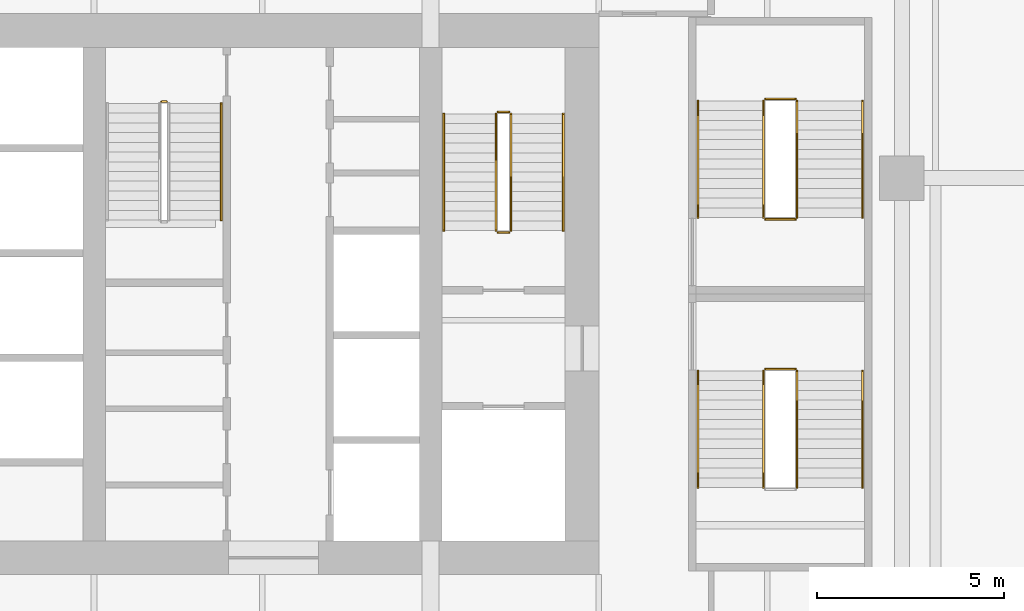
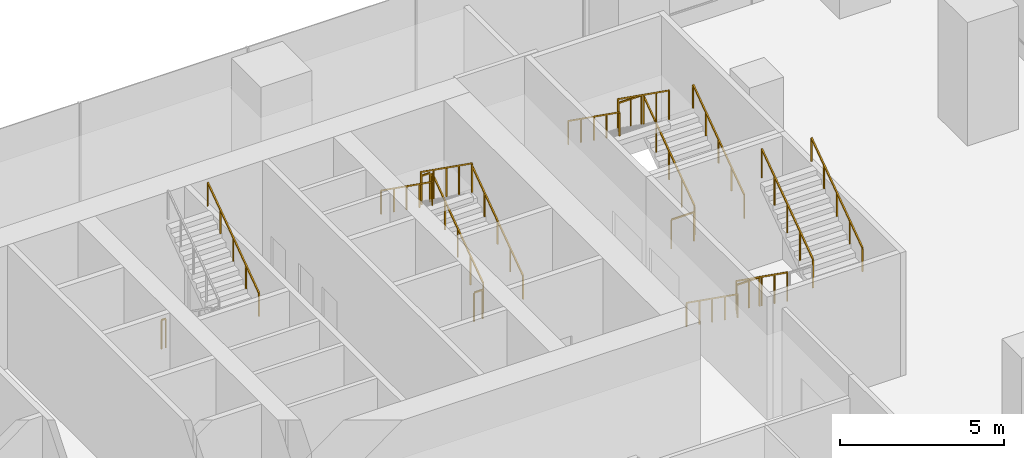
# One storey, part 28 of 28: 19 railings.
"""IFC4 building model written with IfcOpenShell, lengths in metres."""

from ifc_helpers import new_model, si_unit, direction, frame, origin, origin_2d, place, context, subcontext, project, spatial, rectangle, extrude, material, type_object, element, save


model = new_model("IFC4")

# Units and contexts
model_context = context("Model", 3, precision=1e-05, world=origin(), true_north=direction((0.0, 1.0)))
body_context = subcontext(model_context, "Body", "Model", "MODEL_VIEW")
ifc_project = project(units=[si_unit("LENGTHUNIT", "METRE"), si_unit("AREAUNIT", "SQUARE_METRE"), si_unit("VOLUMEUNIT", "CUBIC_METRE"), si_unit("PLANEANGLEUNIT", "RADIAN"), si_unit("MASSUNIT", "GRAM", prefix="KILO")], contexts=[model_context])

# Site, building, storey
site_placement = place(None, origin())
site = spatial("IfcSite", under=ifc_project, at=site_placement, CompositionType="ELEMENT")
building_placement = place(site_placement, origin())
building = spatial("IfcBuilding", under=site, at=building_placement, Name="Rattan Terrace Tower", CompositionType="ELEMENT")
storey_placement = place(building_placement, frame((0.0, 0.0, 22.199951171875)))
storey = spatial("IfcBuildingStorey", under=building, at=storey_placement, Name="L04", CompositionType="ELEMENT", Elevation=22.199951171875)

# Railings
ifc_material_1 = material(Name="Powder-coated steel guard", Category="steel")
railing_type_1 = type_object("IfcRailingType", Name="Core stair guard", PredefinedType="GUARDRAIL", material=ifc_material_1)
railing_1_placement = place(storey_placement, frame((15.64990234375, 1.699951171875, 0.1845703125)))
element("IfcRailing", 1, at=railing_1_placement, inside=storey, type_object=railing_type_1, Name="L04 S2 stair guard 1", PredefinedType="GUARDRAIL", context=body_context, shape_type="SweptSolid", body=[
    extrude(rectangle(XDim=0.048095703125, YDim=0.048095703125, at=origin_2d()), frame((0.0, 0.0, 1.076171875), z_axis=(0.0, 0.815346844174, 0.578972817752), x_axis=(-1.0, 0.0, 0.0)), (0.0, 0.0, 1.0), 3.82666015625),
    extrude(rectangle(XDim=0.0419921875, YDim=0.0419921875, at=origin_2d()), origin(), (0.0, 0.0, 1.0), 1.052001953125),
    extrude(rectangle(XDim=0.0419921875, YDim=0.0419921875, at=origin_2d()), frame((0.0, 0.780029296875, 0.553955078125)), (0.0, 0.0, 1.0), 1.052001953125),
    extrude(rectangle(XDim=0.0419921875, YDim=0.0419921875, at=origin_2d()), frame((0.0, 1.56005859375, 1.10791015625)), (0.0, 0.0, 1.0), 1.052001953125),
    extrude(rectangle(XDim=0.0419921875, YDim=0.0419921875, at=origin_2d()), frame((0.0, 2.340087890625, 1.66162109375)), (0.0, 0.0, 1.0), 1.052001953125),
    extrude(rectangle(XDim=0.0419921875, YDim=0.0419921875, at=origin_2d()), frame((0.0, 3.1201171875, 2.215576171875)), (0.0, 0.0, 1.0), 1.052001953125),
])
railing_2_placement = place(storey_placement, frame((15.60009765625, 4.8701171875, 2.400146484375)))
element("IfcRailing", 2, at=railing_2_placement, inside=storey, type_object=railing_type_1, Name="L04 S2 stair guard 2", PredefinedType="GUARDRAIL", context=body_context, shape_type="SweptSolid", body=[
    extrude(rectangle(XDim=0.048095703125, YDim=0.048095703125, at=origin_2d()), frame((0.0, 0.0, 1.076171875), z_axis=(-1.0, 0.0, 0.0), x_axis=(0.0, -1.0, 0.0)), (0.0, 0.0, 1.0), 0.300048828125),
    extrude(rectangle(XDim=0.0419921875, YDim=0.0419921875, at=origin_2d()), origin(), (0.0, 0.0, 1.0), 1.052001953125),
    extrude(rectangle(XDim=0.0419921875, YDim=0.0419921875, at=origin_2d()), frame((-0.300048828125, 0.0, 0.0)), (0.0, 0.0, 1.0), 1.052001953125),
])
railing_3_placement = place(storey_placement, frame((15.25, 4.820068359375, 2.584716796875)))
element("IfcRailing", 3, at=railing_3_placement, inside=storey, type_object=railing_type_1, Name="L04 S2 stair guard 3", PredefinedType="GUARDRAIL", context=body_context, shape_type="SweptSolid", body=[
    extrude(rectangle(XDim=0.048095703125, YDim=0.048095703125, at=origin_2d()), frame((0.0, 0.0, 1.076171875), z_axis=(0.0, -0.815376961211, 0.578930402662), x_axis=(1.0, 0.0, 0.0)), (0.0, 0.0, 1.0), 3.82666015625),
    extrude(rectangle(XDim=0.0419921875, YDim=0.0419921875, at=origin_2d()), origin(), (0.0, 0.0, 1.0), 1.052001953125),
    extrude(rectangle(XDim=0.0419921875, YDim=0.0419921875, at=origin_2d()), frame((0.0, -0.780029296875, 0.5537109375)), (0.0, 0.0, 1.0), 1.052001953125),
    extrude(rectangle(XDim=0.0419921875, YDim=0.0419921875, at=origin_2d()), frame((0.0, -1.56005859375, 1.107666015625)), (0.0, 0.0, 1.0), 1.052001953125),
    extrude(rectangle(XDim=0.0419921875, YDim=0.0419921875, at=origin_2d()), frame((0.0, -2.340087890625, 1.66162109375)), (0.0, 0.0, 1.0), 1.052001953125),
    extrude(rectangle(XDim=0.0419921875, YDim=0.0419921875, at=origin_2d()), frame((0.0, -3.1201171875, 2.21533203125)), (0.0, 0.0, 1.0), 1.052001953125),
])
railing_4_placement = place(storey_placement, frame((15.60009765625, 1.64990234375, 0.0)))
element("IfcRailing", 4, at=railing_4_placement, inside=storey, type_object=railing_type_1, Name="L04 S2 stair guard 4", PredefinedType="GUARDRAIL", context=body_context, shape_type="SweptSolid", body=[
    extrude(rectangle(XDim=0.048095703125, YDim=0.048095703125, at=origin_2d()), frame((0.0, 0.0, 1.076171875), z_axis=(-1.0, 0.0, 0.0), x_axis=(0.0, -1.0, 0.0)), (0.0, 0.0, 1.0), 0.300048828125),
    extrude(rectangle(XDim=0.0419921875, YDim=0.0419921875, at=origin_2d()), origin(), (0.0, 0.0, 1.0), 1.052001953125),
    extrude(rectangle(XDim=0.0419921875, YDim=0.0419921875, at=origin_2d()), frame((-0.300048828125, 0.0, 0.0)), (0.0, 0.0, 1.0), 1.052001953125),
])
railing_5_placement = place(storey_placement, frame((6.300048828125, 5.14990234375, 0.0)))
element("IfcRailing", 5, at=railing_5_placement, inside=storey, type_object=railing_type_1, Name="L04 S3 stair guard 4", PredefinedType="GUARDRAIL", context=body_context, shape_type="SweptSolid", body=[
    extrude(rectangle(XDim=0.048095703125, YDim=0.048095703125, at=origin_2d()), frame((0.0, 0.0, 1.076171875), z_axis=(1.0, 0.0, 0.0), x_axis=(0.0, 1.0, 0.0)), (0.0, 0.0, 1.0), 0.14990234375),
    extrude(rectangle(XDim=0.0419921875, YDim=0.0419921875, at=origin_2d()), origin(), (0.0, 0.0, 1.0), 1.052001953125),
    extrude(rectangle(XDim=0.0419921875, YDim=0.0419921875, at=origin_2d()), frame((0.14990234375, 0.0, 0.0)), (0.0, 0.0, 1.0), 1.052001953125),
])
railing_6_placement = place(storey_placement, frame((22.39990234375, -2.050048828125, 0.1845703125)))
element("IfcRailing", 6, at=railing_6_placement, inside=storey, type_object=railing_type_1, Name="L04 S6 stair guard 1", PredefinedType="GUARDRAIL", context=body_context, shape_type="SweptSolid", body=[
    extrude(rectangle(XDim=0.048095703125, YDim=0.048095703125, at=origin_2d()), frame((0.0, 0.0, 1.076171875), z_axis=(0.0, -0.815325456587, 0.579002935952), x_axis=(1.0, 0.0, 0.0)), (0.0, 0.0, 1.0), 3.826416015625),
    extrude(rectangle(XDim=0.0419921875, YDim=0.0419921875, at=origin_2d()), origin(), (0.0, 0.0, 1.0), 1.052001953125),
    extrude(rectangle(XDim=0.0419921875, YDim=0.0419921875, at=origin_2d()), frame((0.0, -0.780029296875, 0.553955078125)), (0.0, 0.0, 1.0), 1.052001953125),
    extrude(rectangle(XDim=0.0419921875, YDim=0.0419921875, at=origin_2d()), frame((0.0, -1.56005859375, 1.10791015625)), (0.0, 0.0, 1.0), 1.052001953125),
    extrude(rectangle(XDim=0.0419921875, YDim=0.0419921875, at=origin_2d()), frame((0.0, -2.33984375, 1.66162109375)), (0.0, 0.0, 1.0), 1.052001953125),
    extrude(rectangle(XDim=0.0419921875, YDim=0.0419921875, at=origin_2d()), frame((0.0, -3.119873046875, 2.215576171875)), (0.0, 0.0, 1.0), 1.052001953125),
])
railing_7_placement = place(storey_placement, frame((23.300048828125, -5.169921875, 2.584716796875)))
element("IfcRailing", 7, at=railing_7_placement, inside=storey, type_object=railing_type_1, Name="L04 S6 stair guard 3", PredefinedType="GUARDRAIL", context=body_context, shape_type="SweptSolid", body=[
    extrude(rectangle(XDim=0.048095703125, YDim=0.048095703125, at=origin_2d()), frame((0.0, 0.0, 1.076171875), z_axis=(0.0, 0.815355575968, 0.57896052088), x_axis=(-1.0, 0.0, 0.0)), (0.0, 0.0, 1.0), 3.826416015625),
    extrude(rectangle(XDim=0.0419921875, YDim=0.0419921875, at=origin_2d()), origin(), (0.0, 0.0, 1.0), 1.052001953125),
    extrude(rectangle(XDim=0.0419921875, YDim=0.0419921875, at=origin_2d()), frame((0.0, 0.780029296875, 0.5537109375)), (0.0, 0.0, 1.0), 1.052001953125),
    extrude(rectangle(XDim=0.0419921875, YDim=0.0419921875, at=origin_2d()), frame((0.0, 1.56005859375, 1.107666015625)), (0.0, 0.0, 1.0), 1.052001953125),
    extrude(rectangle(XDim=0.0419921875, YDim=0.0419921875, at=origin_2d()), frame((0.0, 2.33984375, 1.66162109375)), (0.0, 0.0, 1.0), 1.052001953125),
    extrude(rectangle(XDim=0.0419921875, YDim=0.0419921875, at=origin_2d()), frame((0.0, 3.119873046875, 2.21533203125)), (0.0, 0.0, 1.0), 1.052001953125),
])
railing_8_placement = place(storey_placement, frame((22.449951171875, -2.0, 0.0)))
element("IfcRailing", 8, at=railing_8_placement, inside=storey, type_object=railing_type_1, Name="L04 S6 stair guard 4", PredefinedType="GUARDRAIL", context=body_context, shape_type="SweptSolid", body=[
    extrude(rectangle(XDim=0.048095703125, YDim=0.048095703125, at=origin_2d()), frame((0.0, 0.0, 1.076171875), z_axis=(1.0, 0.0, 0.0), x_axis=(0.0, 1.0, 0.0)), (0.0, 0.0, 1.0), 0.800048828125),
    extrude(rectangle(XDim=0.0419921875, YDim=0.0419921875, at=origin_2d()), origin(), (0.0, 0.0, 1.0), 1.052001953125),
    extrude(rectangle(XDim=0.0419921875, YDim=0.0419921875, at=origin_2d()), frame((0.800048828125, 0.0, 0.0)), (0.0, 0.0, 1.0), 1.052001953125),
])
railing_9_placement = place(storey_placement, frame((23.300048828125, 2.050048828125, 0.1845703125)))
element("IfcRailing", 9, at=railing_9_placement, inside=storey, type_object=railing_type_1, Name="L04 S7 stair guard 1", PredefinedType="GUARDRAIL", context=body_context, shape_type="SweptSolid", body=[
    extrude(rectangle(XDim=0.048095703125, YDim=0.048095703125, at=origin_2d()), frame((0.0, 0.0, 1.076171875), z_axis=(0.0, 0.815325456587, 0.579002935952), x_axis=(-1.0, 0.0, 0.0)), (0.0, 0.0, 1.0), 3.826416015625),
    extrude(rectangle(XDim=0.0419921875, YDim=0.0419921875, at=origin_2d()), origin(), (0.0, 0.0, 1.0), 1.052001953125),
    extrude(rectangle(XDim=0.0419921875, YDim=0.0419921875, at=origin_2d()), frame((0.0, 0.780029296875, 0.553955078125)), (0.0, 0.0, 1.0), 1.052001953125),
    extrude(rectangle(XDim=0.0419921875, YDim=0.0419921875, at=origin_2d()), frame((0.0, 1.56005859375, 1.10791015625)), (0.0, 0.0, 1.0), 1.052001953125),
    extrude(rectangle(XDim=0.0419921875, YDim=0.0419921875, at=origin_2d()), frame((0.0, 2.33984375, 1.66162109375)), (0.0, 0.0, 1.0), 1.052001953125),
    extrude(rectangle(XDim=0.0419921875, YDim=0.0419921875, at=origin_2d()), frame((0.0, 3.119873046875, 2.215576171875)), (0.0, 0.0, 1.0), 1.052001953125),
])
railing_10_placement = place(storey_placement, frame((23.25, 5.219970703125, 2.400146484375)))
element("IfcRailing", 10, at=railing_10_placement, inside=storey, type_object=railing_type_1, Name="L04 S7 stair guard 2", PredefinedType="GUARDRAIL", context=body_context, shape_type="SweptSolid", body=[
    extrude(rectangle(XDim=0.048095703125, YDim=0.048095703125, at=origin_2d()), frame((0.0, 0.0, 1.076171875), z_axis=(-1.0, 0.0, 0.0), x_axis=(0.0, -1.0, 0.0)), (0.0, 0.0, 1.0), 0.800048828125),
    extrude(rectangle(XDim=0.0419921875, YDim=0.0419921875, at=origin_2d()), origin(), (0.0, 0.0, 1.0), 1.052001953125),
    extrude(rectangle(XDim=0.0419921875, YDim=0.0419921875, at=origin_2d()), frame((-0.800048828125, 0.0, 0.0)), (0.0, 0.0, 1.0), 1.052001953125),
])
railing_11_placement = place(storey_placement, frame((22.39990234375, 5.169921875, 2.584716796875)))
element("IfcRailing", 11, at=railing_11_placement, inside=storey, type_object=railing_type_1, Name="L04 S7 stair guard 3", PredefinedType="GUARDRAIL", context=body_context, shape_type="SweptSolid", body=[
    extrude(rectangle(XDim=0.048095703125, YDim=0.048095703125, at=origin_2d()), frame((0.0, 0.0, 1.076171875), z_axis=(0.0, -0.815355575968, 0.57896052088), x_axis=(1.0, 0.0, 0.0)), (0.0, 0.0, 1.0), 3.826416015625),
    extrude(rectangle(XDim=0.0419921875, YDim=0.0419921875, at=origin_2d()), origin(), (0.0, 0.0, 1.0), 1.052001953125),
    extrude(rectangle(XDim=0.0419921875, YDim=0.0419921875, at=origin_2d()), frame((0.0, -0.780029296875, 0.5537109375)), (0.0, 0.0, 1.0), 1.052001953125),
    extrude(rectangle(XDim=0.0419921875, YDim=0.0419921875, at=origin_2d()), frame((0.0, -1.56005859375, 1.107666015625)), (0.0, 0.0, 1.0), 1.052001953125),
    extrude(rectangle(XDim=0.0419921875, YDim=0.0419921875, at=origin_2d()), frame((0.0, -2.33984375, 1.66162109375)), (0.0, 0.0, 1.0), 1.052001953125),
    extrude(rectangle(XDim=0.0419921875, YDim=0.0419921875, at=origin_2d()), frame((0.0, -3.119873046875, 2.21533203125)), (0.0, 0.0, 1.0), 1.052001953125),
])
railing_12_placement = place(storey_placement, frame((23.25, 2.0, 0.0)))
element("IfcRailing", 12, at=railing_12_placement, inside=storey, type_object=railing_type_1, Name="L04 S7 stair guard 4", PredefinedType="GUARDRAIL", context=body_context, shape_type="SweptSolid", body=[
    extrude(rectangle(XDim=0.048095703125, YDim=0.048095703125, at=origin_2d()), frame((0.0, 0.0, 1.076171875), z_axis=(-1.0, 0.0, 0.0), x_axis=(0.0, -1.0, 0.0)), (0.0, 0.0, 1.0), 0.800048828125),
    extrude(rectangle(XDim=0.0419921875, YDim=0.0419921875, at=origin_2d()), origin(), (0.0, 0.0, 1.0), 1.052001953125),
    extrude(rectangle(XDim=0.0419921875, YDim=0.0419921875, at=origin_2d()), frame((-0.800048828125, 0.0, 0.0)), (0.0, 0.0, 1.0), 1.052001953125),
])
ifc_material_2 = material(Name="Powder-coated steel handrail", Category="steel")
railing_type_2 = type_object("IfcRailingType", Name="Core stair handrail", PredefinedType="HANDRAIL", material=ifc_material_2)
railing_13_placement = place(storey_placement, frame((17.050048828125, 1.699951171875, 0.1845703125)))
element("IfcRailing", 13, at=railing_13_placement, inside=storey, type_object=railing_type_2, Name="L04 S2 stair handrail 1", PredefinedType="HANDRAIL", context=body_context, shape_type="SweptSolid", body=[
    extrude(rectangle(XDim=0.048095703125, YDim=0.048095703125, at=origin_2d()), frame((0.0, 0.0, 0.8759765625), z_axis=(0.0, 0.815346844174, 0.578972817752), x_axis=(-1.0, 0.0, 0.0)), (0.0, 0.0, 1.0), 3.82666015625),
    extrude(rectangle(XDim=0.0419921875, YDim=0.0419921875, at=origin_2d()), origin(), (0.0, 0.0, 1.0), 0.851806640625),
    extrude(rectangle(XDim=0.0419921875, YDim=0.0419921875, at=origin_2d()), frame((0.0, 0.780029296875, 0.553955078125)), (0.0, 0.0, 1.0), 0.851806640625),
    extrude(rectangle(XDim=0.0419921875, YDim=0.0419921875, at=origin_2d()), frame((0.0, 1.56005859375, 1.10791015625)), (0.0, 0.0, 1.0), 0.851806640625),
    extrude(rectangle(XDim=0.0419921875, YDim=0.0419921875, at=origin_2d()), frame((0.0, 2.340087890625, 1.66162109375)), (0.0, 0.0, 1.0), 0.851806640625),
    extrude(rectangle(XDim=0.0419921875, YDim=0.0419921875, at=origin_2d()), frame((0.0, 3.1201171875, 2.215576171875)), (0.0, 0.0, 1.0), 0.851806640625),
])
railing_14_placement = place(storey_placement, frame((13.85009765625, 4.820068359375, 2.584716796875)))
element("IfcRailing", 14, at=railing_14_placement, inside=storey, type_object=railing_type_2, Name="L04 S2 stair handrail 2", PredefinedType="HANDRAIL", context=body_context, shape_type="SweptSolid", body=[
    extrude(rectangle(XDim=0.048095703125, YDim=0.048095703125, at=origin_2d()), frame((0.0, 0.0, 0.8759765625), z_axis=(0.0, -0.815376961211, 0.578930402662), x_axis=(1.0, 0.0, 0.0)), (0.0, 0.0, 1.0), 3.82666015625),
    extrude(rectangle(XDim=0.0419921875, YDim=0.0419921875, at=origin_2d()), origin(), (0.0, 0.0, 1.0), 0.851806640625),
    extrude(rectangle(XDim=0.0419921875, YDim=0.0419921875, at=origin_2d()), frame((0.0, -0.780029296875, 0.5537109375)), (0.0, 0.0, 1.0), 0.851806640625),
    extrude(rectangle(XDim=0.0419921875, YDim=0.0419921875, at=origin_2d()), frame((0.0, -1.56005859375, 1.107666015625)), (0.0, 0.0, 1.0), 0.851806640625),
    extrude(rectangle(XDim=0.0419921875, YDim=0.0419921875, at=origin_2d()), frame((0.0, -2.340087890625, 1.66162109375)), (0.0, 0.0, 1.0), 0.851806640625),
    extrude(rectangle(XDim=0.0419921875, YDim=0.0419921875, at=origin_2d()), frame((0.0, -3.1201171875, 2.21533203125)), (0.0, 0.0, 1.0), 0.851806640625),
])
railing_15_placement = place(storey_placement, frame((7.89990234375, 1.97998046875, 2.584716796875)))
element("IfcRailing", 15, at=railing_15_placement, inside=storey, type_object=railing_type_2, Name="L04 S3 stair handrail 2", PredefinedType="HANDRAIL", context=body_context, shape_type="SweptSolid", body=[
    extrude(rectangle(XDim=0.048095703125, YDim=0.048095703125, at=origin_2d()), frame((0.0, 0.0, 0.8759765625), z_axis=(0.0, 0.815376961211, 0.578930402662), x_axis=(-1.0, 0.0, 0.0)), (0.0, 0.0, 1.0), 3.82666015625),
    extrude(rectangle(XDim=0.0419921875, YDim=0.0419921875, at=origin_2d()), origin(), (0.0, 0.0, 1.0), 0.851806640625),
    extrude(rectangle(XDim=0.0419921875, YDim=0.0419921875, at=origin_2d()), frame((0.0, 0.780029296875, 0.5537109375)), (0.0, 0.0, 1.0), 0.851806640625),
    extrude(rectangle(XDim=0.0419921875, YDim=0.0419921875, at=origin_2d()), frame((0.0, 1.56005859375, 1.107666015625)), (0.0, 0.0, 1.0), 0.851806640625),
    extrude(rectangle(XDim=0.0419921875, YDim=0.0419921875, at=origin_2d()), frame((0.0, 2.340087890625, 1.66162109375)), (0.0, 0.0, 1.0), 0.851806640625),
    extrude(rectangle(XDim=0.0419921875, YDim=0.0419921875, at=origin_2d()), frame((0.0, 3.1201171875, 2.21533203125)), (0.0, 0.0, 1.0), 0.851806640625),
])
railing_16_placement = place(storey_placement, frame((20.64990234375, -2.050048828125, 0.1845703125)))
element("IfcRailing", 16, at=railing_16_placement, inside=storey, type_object=railing_type_2, Name="L04 S6 stair handrail 1", PredefinedType="HANDRAIL", context=body_context, shape_type="SweptSolid", body=[
    extrude(rectangle(XDim=0.048095703125, YDim=0.048095703125, at=origin_2d()), frame((0.0, 0.0, 0.8759765625), z_axis=(0.0, -0.815325456587, 0.579002935952), x_axis=(1.0, 0.0, 0.0)), (0.0, 0.0, 1.0), 3.826416015625),
    extrude(rectangle(XDim=0.0419921875, YDim=0.0419921875, at=origin_2d()), origin(), (0.0, 0.0, 1.0), 0.851806640625),
    extrude(rectangle(XDim=0.0419921875, YDim=0.0419921875, at=origin_2d()), frame((0.0, -0.780029296875, 0.553955078125)), (0.0, 0.0, 1.0), 0.851806640625),
    extrude(rectangle(XDim=0.0419921875, YDim=0.0419921875, at=origin_2d()), frame((0.0, -1.56005859375, 1.10791015625)), (0.0, 0.0, 1.0), 0.851806640625),
    extrude(rectangle(XDim=0.0419921875, YDim=0.0419921875, at=origin_2d()), frame((0.0, -2.33984375, 1.66162109375)), (0.0, 0.0, 1.0), 0.851806640625),
    extrude(rectangle(XDim=0.0419921875, YDim=0.0419921875, at=origin_2d()), frame((0.0, -3.119873046875, 2.215576171875)), (0.0, 0.0, 1.0), 0.851806640625),
])
railing_17_placement = place(storey_placement, frame((25.050048828125, -5.169921875, 2.584716796875)))
element("IfcRailing", 17, at=railing_17_placement, inside=storey, type_object=railing_type_2, Name="L04 S6 stair handrail 2", PredefinedType="HANDRAIL", context=body_context, shape_type="SweptSolid", body=[
    extrude(rectangle(XDim=0.048095703125, YDim=0.048095703125, at=origin_2d()), frame((0.0, 0.0, 0.8759765625), z_axis=(0.0, 0.815355575968, 0.57896052088), x_axis=(-1.0, 0.0, 0.0)), (0.0, 0.0, 1.0), 3.826416015625),
    extrude(rectangle(XDim=0.0419921875, YDim=0.0419921875, at=origin_2d()), origin(), (0.0, 0.0, 1.0), 0.851806640625),
    extrude(rectangle(XDim=0.0419921875, YDim=0.0419921875, at=origin_2d()), frame((0.0, 0.780029296875, 0.5537109375)), (0.0, 0.0, 1.0), 0.851806640625),
    extrude(rectangle(XDim=0.0419921875, YDim=0.0419921875, at=origin_2d()), frame((0.0, 1.56005859375, 1.107666015625)), (0.0, 0.0, 1.0), 0.851806640625),
    extrude(rectangle(XDim=0.0419921875, YDim=0.0419921875, at=origin_2d()), frame((0.0, 2.33984375, 1.66162109375)), (0.0, 0.0, 1.0), 0.851806640625),
    extrude(rectangle(XDim=0.0419921875, YDim=0.0419921875, at=origin_2d()), frame((0.0, 3.119873046875, 2.21533203125)), (0.0, 0.0, 1.0), 0.851806640625),
])
railing_18_placement = place(storey_placement, frame((25.050048828125, 2.050048828125, 0.1845703125)))
element("IfcRailing", 18, at=railing_18_placement, inside=storey, type_object=railing_type_2, Name="L04 S7 stair handrail 1", PredefinedType="HANDRAIL", context=body_context, shape_type="SweptSolid", body=[
    extrude(rectangle(XDim=0.048095703125, YDim=0.048095703125, at=origin_2d()), frame((0.0, 0.0, 0.8759765625), z_axis=(0.0, 0.815325456587, 0.579002935952), x_axis=(-1.0, 0.0, 0.0)), (0.0, 0.0, 1.0), 3.826416015625),
    extrude(rectangle(XDim=0.0419921875, YDim=0.0419921875, at=origin_2d()), origin(), (0.0, 0.0, 1.0), 0.851806640625),
    extrude(rectangle(XDim=0.0419921875, YDim=0.0419921875, at=origin_2d()), frame((0.0, 0.780029296875, 0.553955078125)), (0.0, 0.0, 1.0), 0.851806640625),
    extrude(rectangle(XDim=0.0419921875, YDim=0.0419921875, at=origin_2d()), frame((0.0, 1.56005859375, 1.10791015625)), (0.0, 0.0, 1.0), 0.851806640625),
    extrude(rectangle(XDim=0.0419921875, YDim=0.0419921875, at=origin_2d()), frame((0.0, 2.33984375, 1.66162109375)), (0.0, 0.0, 1.0), 0.851806640625),
    extrude(rectangle(XDim=0.0419921875, YDim=0.0419921875, at=origin_2d()), frame((0.0, 3.119873046875, 2.215576171875)), (0.0, 0.0, 1.0), 0.851806640625),
])
railing_19_placement = place(storey_placement, frame((20.64990234375, 5.169921875, 2.584716796875)))
element("IfcRailing", 19, at=railing_19_placement, inside=storey, type_object=railing_type_2, Name="L04 S7 stair handrail 2", PredefinedType="HANDRAIL", context=body_context, shape_type="SweptSolid", body=[
    extrude(rectangle(XDim=0.048095703125, YDim=0.048095703125, at=origin_2d()), frame((0.0, 0.0, 0.8759765625), z_axis=(0.0, -0.815355575968, 0.57896052088), x_axis=(1.0, 0.0, 0.0)), (0.0, 0.0, 1.0), 3.826416015625),
    extrude(rectangle(XDim=0.0419921875, YDim=0.0419921875, at=origin_2d()), origin(), (0.0, 0.0, 1.0), 0.851806640625),
    extrude(rectangle(XDim=0.0419921875, YDim=0.0419921875, at=origin_2d()), frame((0.0, -0.780029296875, 0.5537109375)), (0.0, 0.0, 1.0), 0.851806640625),
    extrude(rectangle(XDim=0.0419921875, YDim=0.0419921875, at=origin_2d()), frame((0.0, -1.56005859375, 1.107666015625)), (0.0, 0.0, 1.0), 0.851806640625),
    extrude(rectangle(XDim=0.0419921875, YDim=0.0419921875, at=origin_2d()), frame((0.0, -2.33984375, 1.66162109375)), (0.0, 0.0, 1.0), 0.851806640625),
    extrude(rectangle(XDim=0.0419921875, YDim=0.0419921875, at=origin_2d()), frame((0.0, -3.119873046875, 2.21533203125)), (0.0, 0.0, 1.0), 0.851806640625),
])

save(model, "model.ifc")
